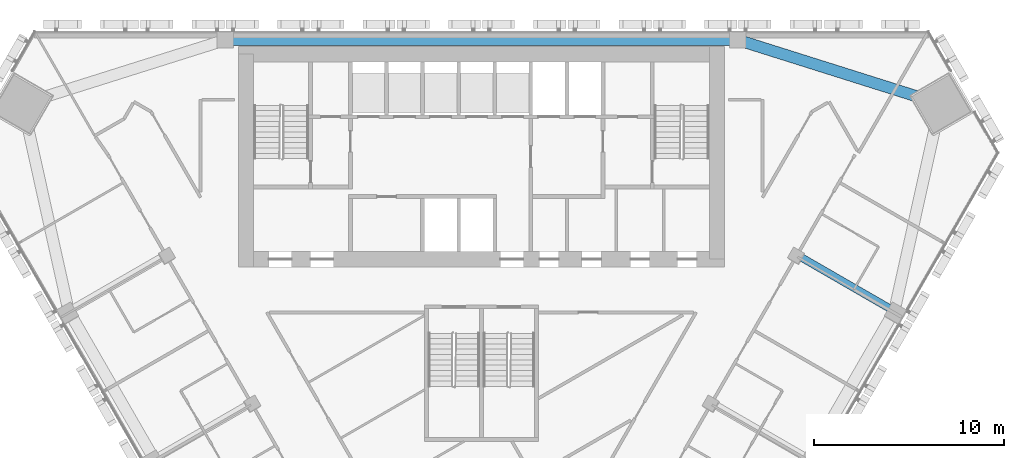
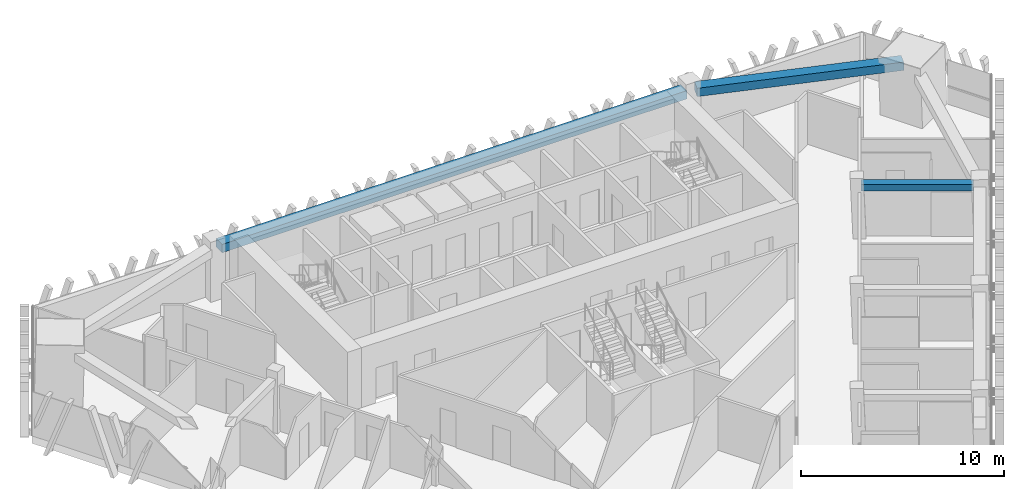
# One storey, part 6 of 16: 3 beams.
"""IFC4 building model written with IfcOpenShell, lengths in metres."""

from ifc_helpers import new_model, si_unit, direction, frame, origin, origin_2d, place, context, subcontext, project, spatial, rectangle, extrude, material, material_profile, profile_set, type_object, element, save


model = new_model("IFC4")

# Units and contexts
model_context = context("Model", 3, precision=1e-05, world=origin(), true_north=direction((0.0, 1.0)))
body_context = subcontext(model_context, "Body", "Model", "MODEL_VIEW")
ifc_project = project(units=[si_unit("LENGTHUNIT", "METRE"), si_unit("AREAUNIT", "SQUARE_METRE"), si_unit("VOLUMEUNIT", "CUBIC_METRE"), si_unit("PLANEANGLEUNIT", "RADIAN"), si_unit("MASSUNIT", "GRAM", prefix="KILO")], contexts=[model_context])

# Site, building, storey
site_placement = place(None, origin())
site = spatial("IfcSite", under=ifc_project, at=site_placement, CompositionType="ELEMENT")
building_placement = place(site_placement, origin())
building = spatial("IfcBuilding", under=site, at=building_placement, Name="Altiplano Prism Tower", CompositionType="ELEMENT")
storey_placement = place(building_placement, frame((0.0, 0.0, 149.39990234375)))
storey = spatial("IfcBuildingStorey", under=building, at=storey_placement, Name="L38", CompositionType="ELEMENT", Elevation=149.39990234375)

# Beams
ifc_material = material(Name="Concrete C60/75", Category="concrete")
ifc_material_profile_1 = material_profile(ifc_material, rectangle(XDim=0.60009765625, YDim=0.5, at=origin_2d()), Name="Edge beam 600x500")
ifc_profile_set_1 = profile_set([ifc_material_profile_1], Name="Concrete C60/75")
beam_type_1 = type_object("IfcBeamType", Name="Edge beam 600x500", PredefinedType="SPANDREL", material=ifc_profile_set_1)
beam_1_placement = place(storey_placement, frame((108.7392578125, 101.32177734375, 2.900146484375), z_axis=(-0.953720791959, 0.300693616468, 0.0), x_axis=(-0.300693616468, -0.953720791959, 0.0)))
element("IfcBeam", 1, at=beam_1_placement, inside=storey, type_object=beam_type_1, Name="Edge beam M2-P01 L39", PredefinedType="SPANDREL", context=body_context, shape_type="SweptSolid", body=[
    extrude(rectangle(XDim=0.60009765625, YDim=0.5, at=origin_2d()), origin(), (0.0, 0.0, 1.0), 10.410400390625),
])
beam_2_placement = place(storey_placement, frame((98.195068359375, 104.550048828125, 2.900146484375), z_axis=(-1.0, 0.0, 0.0), x_axis=(0.0, -1.0, 0.0)))
element("IfcBeam", 2, at=beam_2_placement, inside=storey, type_object=beam_type_1, Name="Edge beam P01-P04 L39", PredefinedType="SPANDREL", context=body_context, shape_type="SweptSolid", body=[
    extrude(rectangle(XDim=0.60009765625, YDim=0.5, at=origin_2d()), origin(), (0.0, 0.0, 1.0), 26.39013671875),
])
ifc_material_profile_2 = material_profile(ifc_material, rectangle(XDim=0.39990234375, YDim=0.39990234375, at=origin_2d()), Name="Tie beam 400x400")
ifc_profile_set_2 = profile_set([ifc_material_profile_2], Name="Concrete C60/75")
beam_type_2 = type_object("IfcBeamType", Name="Tie beam 400x400", PredefinedType="BEAM", material=ifc_profile_set_2)
beam_3_placement = place(storey_placement, frame((101.685302734375, 93.18798828125, 2.9501953125), z_axis=(0.866027073272, -0.499997108352, 0.0), x_axis=(0.499997108352, 0.866027073272, 0.0)))
element("IfcBeam", 3, at=beam_3_placement, inside=storey, type_object=beam_type_2, Name="Tie beam I24 L39", PredefinedType="BEAM", context=body_context, shape_type="SweptSolid", body=[
    extrude(rectangle(XDim=0.39990234375, YDim=0.39990234375, at=origin_2d()), origin(), (0.0, 0.0, 1.0), 5.5400390625),
])

save(model, "model.ifc")
